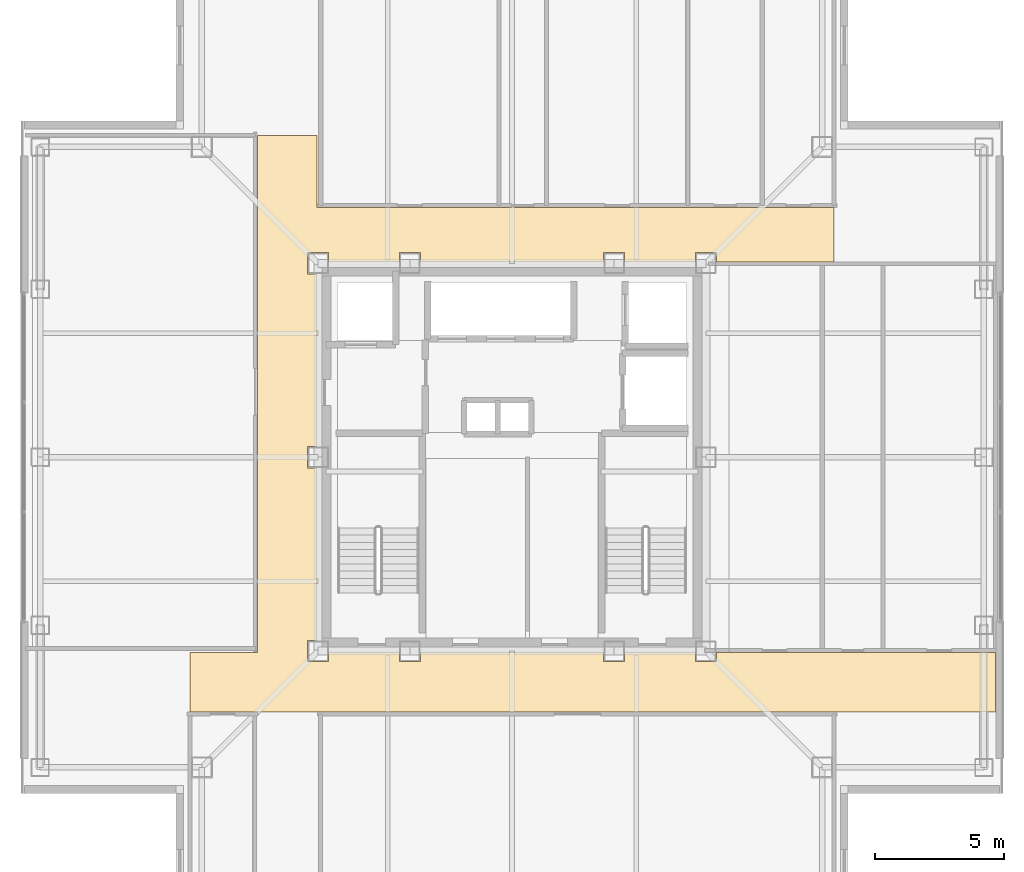
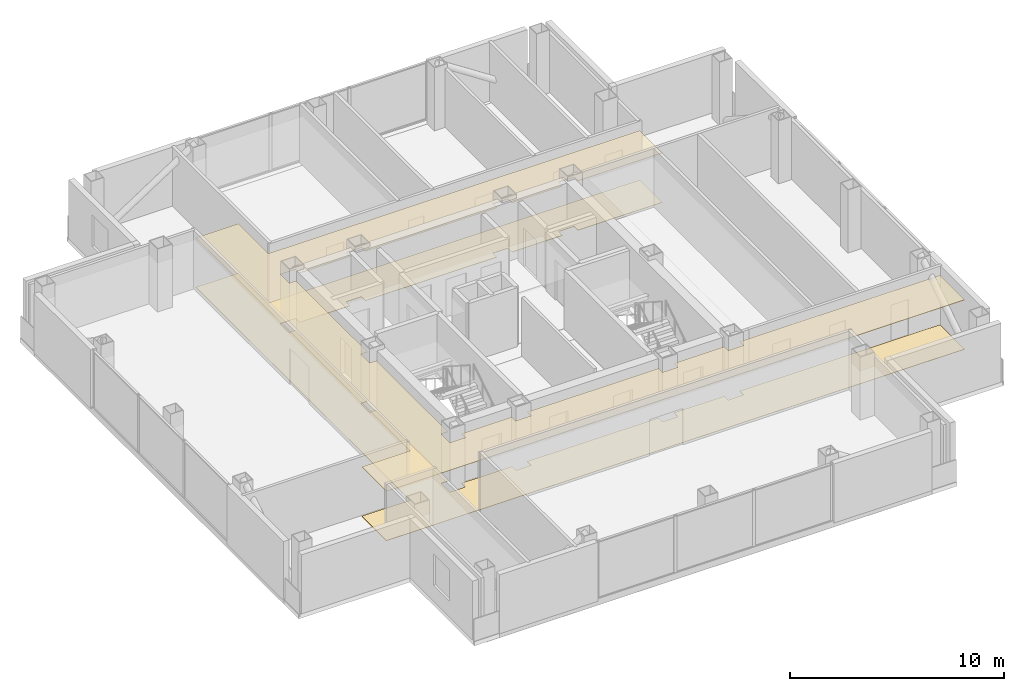
# One storey, part 14 of 16: 2 coverings.
"""IFC4 building model written with IfcOpenShell, lengths in metres."""

from ifc_helpers import new_model, si_unit, direction, frame, origin, place, context, subcontext, project, spatial, polyline, outline, extrude, material, layer, layer_set, type_object, element, save


model = new_model("IFC4")

# Units and contexts
model_context = context("Model", 3, precision=1e-05, world=origin(), true_north=direction((0.0, 1.0)))
body_context = subcontext(model_context, "Body", "Model", "MODEL_VIEW")
ifc_project = project(units=[si_unit("LENGTHUNIT", "METRE"), si_unit("AREAUNIT", "SQUARE_METRE"), si_unit("VOLUMEUNIT", "CUBIC_METRE"), si_unit("PLANEANGLEUNIT", "RADIAN"), si_unit("MASSUNIT", "GRAM", prefix="KILO")], contexts=[model_context])

# Site, building, storey
site_placement = place(None, origin())
site = spatial("IfcSite", under=ifc_project, at=site_placement, CompositionType="ELEMENT")
building_placement = place(site_placement, origin())
building = spatial("IfcBuilding", under=site, at=building_placement, Name="Trevonay Congress Spire", CompositionType="ELEMENT")
storey_placement = place(building_placement, frame((0.0, 0.0, 246.800048828125)))
storey = spatial("IfcBuildingStorey", under=building, at=storey_placement, Name="L64", CompositionType="ELEMENT", Elevation=246.800048828125)

# Coverings
ifc_material_1 = material(Name="Acoustic Mineral Fibre Board", Category="gypsum")
ifc_layer_1 = layer(ifc_material_1, 0.02490234375, Name="Acoustic Mineral Fibre Board")
ifc_layer_set_1 = layer_set([ifc_layer_1], Name="Acoustic Mineral Fibre Board")
covering_type_1 = type_object("IfcCoveringType", Name="COV-CEIL-ACOUSTIC", PredefinedType="CEILING", material=ifc_layer_set_1)
covering_1_placement = place(storey_placement, frame((0.0, 0.0, 2.81005859375)))
element("IfcCovering", 1, at=covering_1_placement, inside=storey, type_object=covering_type_1, Name="L64 Cruciform Boulevard Corridor acoustic suspended ceiling", PredefinedType="CEILING", context=body_context, shape_type="SweptSolid", body=[
    extrude(outline(polyline([(18.699951171875, -7.550048828125), (18.699951171875, -9.85009765625), (-12.449951171875, -9.85009765625), (-12.449951171875, -7.550048828125), (-9.85009765625, -7.550048828125), (-9.85009765625, 12.449951171875), (-7.550048828125, 12.449951171875), (-7.550048828125, 9.64990234375), (12.449951171875, 9.64990234375), (12.449951171875, 7.550048828125), (7.909912109375, 7.550048828125), (7.909912109375, 7.909912109375), (7.090087890625, 7.909912109375), (7.090087890625, 7.550048828125), (4.360107421875, 7.550048828125), (4.360107421875, 7.909912109375), (3.5400390625, 7.909912109375), (3.5400390625, 7.550048828125), (-3.5400390625, 7.550048828125), (-3.5400390625, 7.909912109375), (-4.360107421875, 7.909912109375), (-4.360107421875, 7.550048828125), (-7.090087890625, 7.550048828125), (-7.090087890625, 7.909912109375), (-7.909912109375, 7.909912109375), (-7.909912109375, 7.090087890625), (-7.550048828125, 7.090087890625), (-7.550048828125, 0.409912109375), (-7.909912109375, 0.409912109375), (-7.909912109375, -0.409912109375), (-7.550048828125, -0.409912109375), (-7.550048828125, -7.090087890625), (-7.909912109375, -7.090087890625), (-7.909912109375, -7.909912109375), (-7.090087890625, -7.909912109375), (-7.090087890625, -7.550048828125), (-4.360107421875, -7.550048828125), (-4.360107421875, -7.909912109375), (-3.5400390625, -7.909912109375), (-3.5400390625, -7.550048828125), (3.5400390625, -7.550048828125), (3.5400390625, -7.909912109375), (4.360107421875, -7.909912109375), (4.360107421875, -7.550048828125), (7.090087890625, -7.550048828125), (7.090087890625, -7.909912109375), (7.909912109375, -7.909912109375), (7.909912109375, -7.550048828125), (18.699951171875, -7.550048828125)])), origin(), (0.0, 0.0, 1.0), 0.02490234375),
])
ifc_material_2 = material(Name="Polished Granite Floor Tile", Category="masonry")
ifc_layer_2 = layer(ifc_material_2, 0.02001953125, Name="Polished Granite Floor Tile")
ifc_layer_set_2 = layer_set([ifc_layer_2], Name="Polished Granite Floor Tile")
covering_type_2 = type_object("IfcCoveringType", Name="COV-FLOOR-STONE", PredefinedType="FLOORING", material=ifc_layer_set_2)
covering_2_placement = place(storey_placement, origin())
element("IfcCovering", 2, at=covering_2_placement, inside=storey, type_object=covering_type_2, Name="L64 Cruciform Boulevard Corridor floor finish", PredefinedType="FLOORING", context=body_context, shape_type="SweptSolid", body=[
    extrude(outline(polyline([(18.699951171875, -7.550048828125), (18.699951171875, -9.85009765625), (-12.449951171875, -9.85009765625), (-12.449951171875, -7.550048828125), (-9.85009765625, -7.550048828125), (-9.85009765625, 12.449951171875), (-7.550048828125, 12.449951171875), (-7.550048828125, 9.64990234375), (12.449951171875, 9.64990234375), (12.449951171875, 7.550048828125), (7.909912109375, 7.550048828125), (7.909912109375, 7.909912109375), (7.090087890625, 7.909912109375), (7.090087890625, 7.550048828125), (4.360107421875, 7.550048828125), (4.360107421875, 7.909912109375), (3.5400390625, 7.909912109375), (3.5400390625, 7.550048828125), (-3.5400390625, 7.550048828125), (-3.5400390625, 7.909912109375), (-4.360107421875, 7.909912109375), (-4.360107421875, 7.550048828125), (-7.090087890625, 7.550048828125), (-7.090087890625, 7.909912109375), (-7.909912109375, 7.909912109375), (-7.909912109375, 7.090087890625), (-7.550048828125, 7.090087890625), (-7.550048828125, 0.409912109375), (-7.909912109375, 0.409912109375), (-7.909912109375, -0.409912109375), (-7.550048828125, -0.409912109375), (-7.550048828125, -7.090087890625), (-7.909912109375, -7.090087890625), (-7.909912109375, -7.909912109375), (-7.090087890625, -7.909912109375), (-7.090087890625, -7.550048828125), (-4.360107421875, -7.550048828125), (-4.360107421875, -7.909912109375), (-3.5400390625, -7.909912109375), (-3.5400390625, -7.550048828125), (3.5400390625, -7.550048828125), (3.5400390625, -7.909912109375), (4.360107421875, -7.909912109375), (4.360107421875, -7.550048828125), (7.090087890625, -7.550048828125), (7.090087890625, -7.909912109375), (7.909912109375, -7.909912109375), (7.909912109375, -7.550048828125), (18.699951171875, -7.550048828125)])), origin(), (0.0, 0.0, 1.0), 0.02001953125),
])

save(model, "model.ifc")
